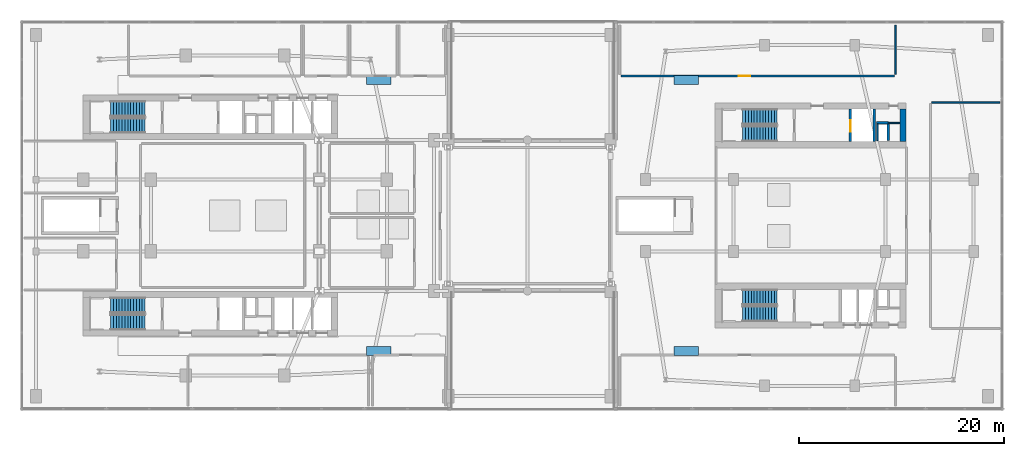
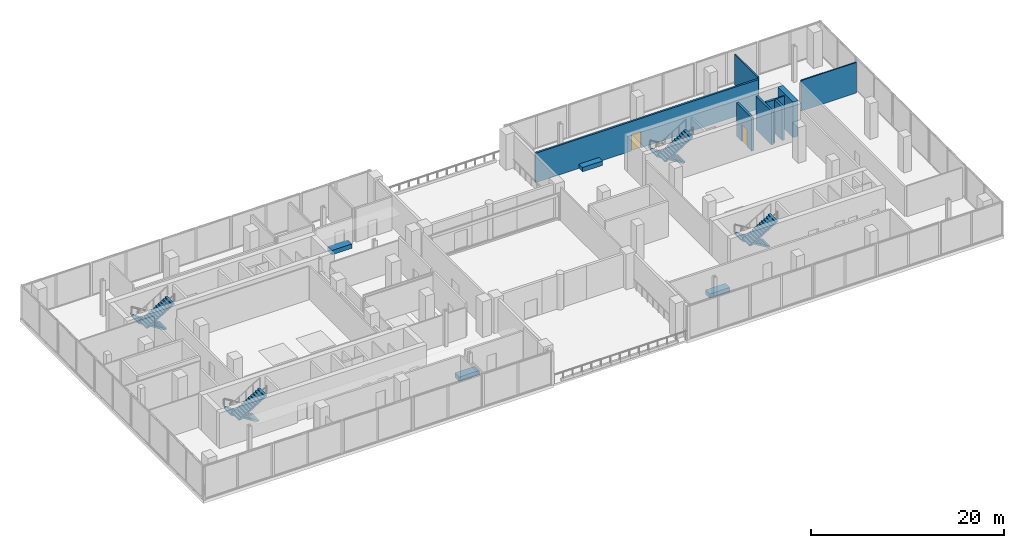
# One storey, part 17 of 21: 10 walls, 8 stair flights, 4 discrete accessories, 2 doors, 2 openings, 4 elements without a shape of their own.
"""IFC4 building model written with IfcOpenShell, lengths in metres."""

from ifc_helpers import new_model, si_unit, derived_unit, direction, frame, frame_2d, origin, origin_2d, place, context, subcontext, project, spatial, polyline, rectangle, outline, extrude, material, layer, layer_set, type_object, element, fill, aggregate, save


model = new_model("IFC4")

# Units and contexts
model_context = context("Model", 3, precision=1e-05, world=origin(), true_north=direction((0.0, 1.0)))
body_context = subcontext(model_context, "Body", "Model", "MODEL_VIEW")
ifc_project = project(units=[si_unit("LENGTHUNIT", "METRE"), si_unit("AREAUNIT", "SQUARE_METRE"), si_unit("VOLUMEUNIT", "CUBIC_METRE"), si_unit("PLANEANGLEUNIT", "RADIAN"), si_unit("MASSUNIT", "GRAM", prefix="KILO"), derived_unit("THERMALTRANSMITTANCEUNIT", [(si_unit("POWERUNIT", "WATT"), 1), (si_unit("LENGTHUNIT", "METRE"), -2), (si_unit("THERMODYNAMICTEMPERATUREUNIT", "KELVIN"), -1)])], contexts=[model_context])

# Site, building, storey
site_placement = place(None, origin())
site = spatial("IfcSite", under=ifc_project, at=site_placement, CompositionType="ELEMENT")
building_placement = place(site_placement, origin())
building = spatial("IfcBuilding", under=site, at=building_placement, Name="Kivonza Crest Hotel", CompositionType="ELEMENT")
storey_placement = place(building_placement, frame((0.0, 0.0, 19.5)))
storey = spatial("IfcBuildingStorey", under=building, at=storey_placement, Name="L04", CompositionType="ELEMENT", Elevation=19.5)

# Wall, opening, door
ifc_material_1 = material(Name="Autoclaved aerated concrete blockwork", Category="masonry")
ifc_layer_1 = layer(ifc_material_1, 0.219970703125)
ifc_layer_set_1 = layer_set([ifc_layer_1], Name="Autoclaved aerated concrete blockwork")
wall_type_1 = type_object("IfcWallType", Name="WL-ACOU-220", PredefinedType="SOLIDWALL", material=ifc_layer_set_1)
wall_1_placement = place(storey_placement, frame((58.60009765625, 38.60009765625, 0.0), z_axis=(0.0, 0.0, 1.0), x_axis=(1.0, 0.0, 0.0)))
wall_1 = element("IfcWall", 1, at=wall_1_placement, inside=storey, type_object=wall_type_1, Name="L04 interior partition WA-L04-N-YOGA-S", PredefinedType="SOLIDWALL", context=body_context, shape_type="SweptSolid", body=[
    extrude(rectangle(XDim=26.699951171875, YDim=0.219970703125, at=frame_2d((13.35009765625, 0.0))), origin(), (0.0, 0.0, 1.0), 3.72509765625),
])
opening_1_placement = place(wall_1_placement, frame((11.510009765625, 0.0, 0.0)))
opening_1 = element("IfcOpeningElement", 2, at=opening_1_placement, cuts=wall_1, Name="Opening DF-60M", PredefinedType="OPENING", context=body_context, shape_type="SweptSolid", body=[
    extrude(rectangle(XDim=1.10009765625, YDim=2.10009765625, at=frame_2d((0.550048828125, 1.050048828125))), frame((0.0, 0.1201171875, 0.0), z_axis=(0.0, -1.0, 0.0), x_axis=(1.0, 0.0, 0.0)), (0.0, 0.0, 1.0), 0.239990234375),
])
ifc_material_2 = material(Name="Hardwood timber oak", Category="wood")
door_type_1 = type_object("IfcDoorType", Name="DR-FD60-1100", OperationType="NOTDEFINED", PredefinedType="DOOR", material=ifc_material_2)
door_1_placement = place(opening_1_placement, origin())
door_1 = element("IfcDoor", 3, at=door_1_placement, inside=storey, type_object=door_type_1, Name="L04 Companion North Pilates Studio door", OperationType="SINGLE_SWING_LEFT", OverallHeight=2.10009765625, OverallWidth=1.10009765625, PredefinedType="DOOR", context=body_context, shape_type="SweptSolid", body=[
    extrude(rectangle(XDim=1.10009765625, YDim=2.10009765625, at=frame_2d((0.550048828125, 1.050048828125))), frame((0.0, 0.02490234375, 0.0), z_axis=(0.0, -1.0, 0.0), x_axis=(1.0, 0.0, 0.0)), (0.0, 0.0, 1.0), 0.050048828125),
])
fill(opening_1, door_1)

# Walls
ifc_material_3 = material(Name="Concrete C60/75", Category="concrete")
ifc_layer_2 = layer(ifc_material_3, 0.60009765625)
ifc_layer_set_2 = layer_set([ifc_layer_2], Name="Concrete C60/75")
wall_type_2 = type_object("IfcWallType", Name="WL-CORE-600", PredefinedType="SHEAR", material=ifc_layer_set_2)
wall_2_placement = place(storey_placement, frame((86.10009765625, 32.199951171875, 0.0), z_axis=(0.0, 0.0, 1.0), x_axis=(0.0, 1.0, 0.0)))
element("IfcWall", 4, at=wall_2_placement, inside=storey, type_object=wall_type_2, Name="Core wall T2-N East L04", PredefinedType="SHEAR", context=body_context, shape_type="SweptSolid", body=[
    extrude(rectangle(XDim=3.16015625, YDim=0.60009765625, at=frame_2d((1.580078125, 0.0))), origin(), (0.0, 0.0, 1.0), 4.5),
])
ifc_material_4 = material(Name="Concrete blockwork fire-compartment wall", Category="masonry")
ifc_layer_3 = layer(ifc_material_4, 0.25)
ifc_layer_set_3 = layer_set([ifc_layer_3], Name="Concrete blockwork fire-compartment wall")
wall_type_3 = type_object("IfcWallType", Name="WL-FIRE-250", PredefinedType="SOLIDWALL", material=ifc_layer_set_3)
wall_3_placement = place(storey_placement, frame((84.679931640625, 32.300048828125, 0.0), z_axis=(0.0, 0.0, 1.0), x_axis=(0.0, 1.0, 0.0)))
element("IfcWall", 5, at=wall_3_placement, inside=storey, type_object=wall_type_3, Name="L04 interior partition WA-L04-T2-N-MEPR-E", PredefinedType="SOLIDWALL", context=body_context, shape_type="SweptSolid", body=[
    extrude(rectangle(XDim=1.619873046875, YDim=0.25, at=frame_2d((0.81005859375, 0.0))), origin(), (0.0, 0.0, 1.0), 4.219970703125),
])
wall_4_placement = place(storey_placement, frame((83.550048828125, 34.02001953125, 0.0), z_axis=(0.0, 0.0, 1.0), x_axis=(1.0, 0.0, 0.0)))
element("IfcWall", 6, at=wall_4_placement, inside=storey, type_object=wall_type_3, Name="L04 interior partition WA-L04-T2-N-MEPR-H", PredefinedType="SOLIDWALL", context=body_context, shape_type="SweptSolid", body=[
    extrude(rectangle(XDim=1.1298828125, YDim=0.25, at=frame_2d((0.56494140625, 0.0))), origin(), (0.0, 0.0, 1.0), 4.219970703125),
])
ifc_material_5 = material(Name="Metal-stud gypsum board partition", Category="gypsum")
ifc_layer_4 = layer(ifc_material_5, 0.125)
ifc_layer_set_4 = layer_set([ifc_layer_4], Name="Metal-stud gypsum board partition")
wall_type_4 = type_object("IfcWallType", Name="WL-PART-125", PredefinedType="PARTITIONING", material=ifc_layer_set_4)
wall_5_placement = place(storey_placement, frame((84.679931640625, 34.02001953125, 0.0), z_axis=(0.0, 0.0, 1.0), x_axis=(1.0, 0.0, 0.0)))
element("IfcWall", 7, at=wall_5_placement, inside=storey, type_object=wall_type_4, Name="L04 interior partition WP-L04-T2-N-T2H", PredefinedType="PARTITIONING", context=body_context, shape_type="SweptSolid", body=[
    extrude(rectangle(XDim=1.1201171875, YDim=0.125, at=frame_2d((0.56005859375, 0.0))), origin(), (0.0, 0.0, 1.0), 4.219970703125),
])
ifc_material_6 = material(Name="Twin-stud acoustic gypsum board partition", Category="gypsum")
ifc_layer_5 = layer(ifc_material_6, 0.14990234375)
ifc_layer_set_5 = layer_set([ifc_layer_5], Name="Twin-stud acoustic gypsum board partition")
wall_type_5 = type_object("IfcWallType", Name="WL-PART-150", PredefinedType="PARTITIONING", material=ifc_layer_set_5)
wall_6_placement = place(storey_placement, frame((83.6298828125, 32.300048828125, 0.0), z_axis=(0.0, 0.0, 1.0), x_axis=(0.0, 1.0, 0.0)))
element("IfcWall", 8, at=wall_6_placement, inside=storey, type_object=wall_type_5, Name="L04 interior partition WA-L04-T2-N-MEPR-W", PredefinedType="PARTITIONING", context=body_context, shape_type="SweptSolid", body=[
    extrude(rectangle(XDim=1.619873046875, YDim=0.14990234375, at=frame_2d((0.81005859375, 0.0))), origin(), (0.0, 0.0, 1.0), 3.72509765625),
])
wall_7_placement = place(storey_placement, frame((85.39990234375, 38.75, 0.0), z_axis=(0.0, 0.0, 1.0), x_axis=(0.0, 1.0, 0.0)))
element("IfcWall", 9, at=wall_7_placement, inside=storey, type_object=wall_type_5, Name="L04 interior partition WP-L04-N-YOGA-BE", PredefinedType="PARTITIONING", context=body_context, shape_type="SweptSolid", body=[
    extrude(rectangle(XDim=4.800048828125, YDim=0.14990234375, at=frame_2d((2.39990234375, 0.0))), origin(), (0.0, 0.0, 1.0), 3.864990234375),
])
wall_8_placement = place(storey_placement, frame((88.89990234375, 36.0, 0.0), z_axis=(0.0, 0.0, 1.0), x_axis=(1.0, 0.0, 0.0)))
element("IfcWall", 10, at=wall_8_placement, inside=storey, type_object=wall_type_5, Name="L04 interior partition WP-L04-E-SPA4S-BN", PredefinedType="PARTITIONING", context=body_context, shape_type="SweptSolid", body=[
    extrude(rectangle(XDim=6.650146484375, YDim=0.14990234375, at=frame_2d((3.3251953125, 0.0))), origin(), (0.0, 0.0, 1.0), 3.864990234375),
])

# Wall, opening, door
ifc_material_7 = material(Name="Concrete C50/60", Category="concrete")
ifc_layer_6 = layer(ifc_material_7, 0.25)
ifc_layer_set_6 = layer_set([ifc_layer_6], Name="Concrete C50/60")
wall_type_6 = type_object("IfcWallType", Name="WL-SHAFT-250", PredefinedType="STANDARD", material=ifc_layer_set_6)
wall_9_placement = place(storey_placement, frame((80.97509765625, 32.199951171875, 0.0), z_axis=(0.0, 0.0, 1.0), x_axis=(0.0, 1.0, 0.0)))
wall_9 = element("IfcWall", 11, at=wall_9_placement, inside=storey, type_object=wall_type_6, Name="Core shaft wall T2-N FFL-W L04", PredefinedType="STANDARD", context=body_context, shape_type="SweptSolid", body=[
    extrude(rectangle(XDim=3.16015625, YDim=0.25, at=frame_2d((1.580078125, 0.0))), origin(), (0.0, 0.0, 1.0), 4.25),
])
opening_2_placement = place(wall_9_placement, frame((0.97998046875, 0.0, 0.0)))
opening_2 = element("IfcOpeningElement", 12, at=opening_2_placement, cuts=wall_9, Name="Opening LD-120", PredefinedType="OPENING", context=body_context, shape_type="SweptSolid", body=[
    extrude(rectangle(XDim=1.10009765625, YDim=2.14990234375, at=frame_2d((0.550048828125, 1.074951171875))), frame((0.0, 0.135009765625, 0.0), z_axis=(0.0, -1.0, 0.0), x_axis=(1.0, 0.0, 0.0)), (0.0, 0.0, 1.0), 0.27001953125),
])
ifc_material_8 = material(Name="Stainless steel", Category="steel")
door_type_2 = type_object("IfcDoorType", Name="DR-LD120-1100", OperationType="NOTDEFINED", PredefinedType="DOOR", material=ifc_material_8)
door_2_placement = place(opening_2_placement, origin())
door_2 = element("IfcDoor", 13, at=door_2_placement, inside=storey, type_object=door_type_2, Name="L04 FFL-T2 firefighting lift sliding landing door", OperationType="DOUBLE_DOOR_SLIDING", OverallHeight=2.14990234375, OverallWidth=1.10009765625, PredefinedType="DOOR", context=body_context, shape_type="SweptSolid", body=[
    extrude(rectangle(XDim=1.10009765625, YDim=2.14990234375, at=frame_2d((0.550048828125, 1.074951171875))), frame((0.0, 0.02490234375, 0.0), z_axis=(0.0, -1.0, 0.0), x_axis=(1.0, 0.0, 0.0)), (0.0, 0.0, 1.0), 0.050048828125),
])
fill(opening_2, door_2)

# Wall
wall_10_placement = place(storey_placement, frame((83.324951171875, 32.199951171875, 0.0), z_axis=(0.0, 0.0, 1.0), x_axis=(0.0, 1.0, 0.0)))
element("IfcWall", 14, at=wall_10_placement, inside=storey, type_object=wall_type_6, Name="Core shaft wall T2-N FFL-E L04", PredefinedType="STANDARD", context=body_context, shape_type="SweptSolid", body=[
    extrude(rectangle(XDim=3.16015625, YDim=0.25, at=frame_2d((1.580078125, 0.0))), origin(), (0.0, 0.0, 1.0), 4.25),
])

# Stair, stair flights
ifc_material_9 = material(Name="Concrete C40/50", Category="concrete")
stair_type = type_object("IfcStairType", Name="ST-DL-26R", PredefinedType="HALF_TURN_STAIR", material=ifc_material_9)
stair_1_placement = place(storey_placement, origin())
stair_1 = element("IfcStair", 15, at=stair_1_placement, inside=storey, type_object=stair_type, Name="L04 Protected Exit Stair ST-T1-N", PredefinedType="HALF_TURN_STAIR")
stair_flight_type = type_object("IfcStairFlightType", Name="SFL-RC-13R", PredefinedType="STRAIGHT", material=ifc_material_9)
stair_flight_1_placement = place(storey_placement, frame((12.239990234375, 35.409912109375, 0.0), z_axis=(0.0, 0.0, 1.0), x_axis=(-1.0, 0.0, 0.0)))
stair_flight_1 = element("IfcStairFlight", 16, at=stair_flight_1_placement, type_object=stair_flight_type, Name="ST-T1-N flight 1", NumberOfRisers=13, NumberOfTreads=12, PredefinedType="STRAIGHT", RiserHeight=0.173076923, TreadLength=0.28, context=body_context, shape_type="SweptSolid", body=[
    extrude(outline(polyline([(0.0, 0.0), (0.0, 0.173095703125), (0.280029296875, 0.173095703125), (0.280029296875, 0.34619140625), (0.56005859375, 0.34619140625), (0.56005859375, 0.519287109375), (0.840087890625, 0.519287109375), (0.840087890625, 0.6923828125), (1.1201171875, 0.6923828125), (1.1201171875, 0.865478515625), (1.39990234375, 0.865478515625), (1.39990234375, 1.03857421875), (1.679931640625, 1.03857421875), (1.679931640625, 1.21142578125), (1.9599609375, 1.21142578125), (1.9599609375, 1.384521484375), (2.239990234375, 1.384521484375), (2.239990234375, 1.5576171875), (2.52001953125, 1.5576171875), (2.52001953125, 1.730712890625), (2.800048828125, 1.730712890625), (2.800048828125, 1.90380859375), (3.080078125, 1.90380859375), (3.080078125, 2.076904296875), (3.360107421875, 2.076904296875), (3.360107421875, 2.25), (3.360107421875, 1.900634765625), (0.28515625, 0.0), (0.0, 0.0)])), frame((0.0, 0.75, 0.0), z_axis=(0.0, -1.0, 0.0), x_axis=(1.0, 0.0, 0.0)), (0.0, 0.0, 1.0), 1.5),
])
stair_flight_2_placement = place(storey_placement, frame((8.8798828125, 33.77001953125, 2.25), z_axis=(0.0, 0.0, 1.0), x_axis=(1.0, 0.0, 0.0)))
stair_flight_2 = element("IfcStairFlight", 17, at=stair_flight_2_placement, type_object=stair_flight_type, Name="ST-T1-N flight 2", NumberOfRisers=13, NumberOfTreads=12, PredefinedType="STRAIGHT", RiserHeight=0.173076923, TreadLength=0.28, context=body_context, shape_type="SweptSolid", body=[
    extrude(outline(polyline([(0.0, 0.0), (0.0, 0.173095703125), (0.280029296875, 0.173095703125), (0.280029296875, 0.34619140625), (0.56005859375, 0.34619140625), (0.56005859375, 0.519287109375), (0.840087890625, 0.519287109375), (0.840087890625, 0.6923828125), (1.1201171875, 0.6923828125), (1.1201171875, 0.865478515625), (1.39990234375, 0.865478515625), (1.39990234375, 1.03857421875), (1.679931640625, 1.03857421875), (1.679931640625, 1.21142578125), (1.9599609375, 1.21142578125), (1.9599609375, 1.384521484375), (2.239990234375, 1.384521484375), (2.239990234375, 1.5576171875), (2.52001953125, 1.5576171875), (2.52001953125, 1.730712890625), (2.800048828125, 1.730712890625), (2.800048828125, 1.90380859375), (3.080078125, 1.90380859375), (3.080078125, 2.076904296875), (3.360107421875, 2.076904296875), (3.360107421875, 2.25), (3.360107421875, 1.900634765625), (0.28515625, 0.0), (0.0, 0.0)])), frame((0.0, 0.75, 0.0), z_axis=(0.0, -1.0, 0.0), x_axis=(1.0, 0.0, 0.0)), (0.0, 0.0, 1.0), 1.5),
])
aggregate(stair_1, [stair_flight_1, stair_flight_2])

stair_2_placement = place(storey_placement, origin())
stair_2 = element("IfcStair", 18, at=stair_2_placement, inside=storey, type_object=stair_type, Name="L04 Protected Exit Stair ST-T1-S", PredefinedType="HALF_TURN_STAIR")
stair_flight_3_placement = place(storey_placement, frame((12.239990234375, 16.25, 0.0), z_axis=(0.0, 0.0, 1.0), x_axis=(-1.0, 0.0, 0.0)))
stair_flight_3 = element("IfcStairFlight", 19, at=stair_flight_3_placement, type_object=stair_flight_type, Name="ST-T1-S flight 1", NumberOfRisers=13, NumberOfTreads=12, PredefinedType="STRAIGHT", RiserHeight=0.173076923, TreadLength=0.28, context=body_context, shape_type="SweptSolid", body=[
    extrude(outline(polyline([(0.0, 0.0), (0.0, 0.173095703125), (0.280029296875, 0.173095703125), (0.280029296875, 0.34619140625), (0.56005859375, 0.34619140625), (0.56005859375, 0.519287109375), (0.840087890625, 0.519287109375), (0.840087890625, 0.6923828125), (1.1201171875, 0.6923828125), (1.1201171875, 0.865478515625), (1.39990234375, 0.865478515625), (1.39990234375, 1.03857421875), (1.679931640625, 1.03857421875), (1.679931640625, 1.21142578125), (1.9599609375, 1.21142578125), (1.9599609375, 1.384521484375), (2.239990234375, 1.384521484375), (2.239990234375, 1.5576171875), (2.52001953125, 1.5576171875), (2.52001953125, 1.730712890625), (2.800048828125, 1.730712890625), (2.800048828125, 1.90380859375), (3.080078125, 1.90380859375), (3.080078125, 2.076904296875), (3.360107421875, 2.076904296875), (3.360107421875, 2.25), (3.360107421875, 1.900634765625), (0.28515625, 0.0), (0.0, 0.0)])), frame((0.0, 0.75, 0.0), z_axis=(0.0, -1.0, 0.0), x_axis=(1.0, 0.0, 0.0)), (0.0, 0.0, 1.0), 1.5),
])
stair_flight_4_placement = place(storey_placement, frame((8.8798828125, 14.610107421875, 2.25), z_axis=(0.0, 0.0, 1.0), x_axis=(1.0, 0.0, 0.0)))
stair_flight_4 = element("IfcStairFlight", 20, at=stair_flight_4_placement, type_object=stair_flight_type, Name="ST-T1-S flight 2", NumberOfRisers=13, NumberOfTreads=12, PredefinedType="STRAIGHT", RiserHeight=0.173076923, TreadLength=0.28, context=body_context, shape_type="SweptSolid", body=[
    extrude(outline(polyline([(0.0, 0.0), (0.0, 0.173095703125), (0.280029296875, 0.173095703125), (0.280029296875, 0.34619140625), (0.56005859375, 0.34619140625), (0.56005859375, 0.519287109375), (0.840087890625, 0.519287109375), (0.840087890625, 0.6923828125), (1.1201171875, 0.6923828125), (1.1201171875, 0.865478515625), (1.39990234375, 0.865478515625), (1.39990234375, 1.03857421875), (1.679931640625, 1.03857421875), (1.679931640625, 1.21142578125), (1.9599609375, 1.21142578125), (1.9599609375, 1.384521484375), (2.239990234375, 1.384521484375), (2.239990234375, 1.5576171875), (2.52001953125, 1.5576171875), (2.52001953125, 1.730712890625), (2.800048828125, 1.730712890625), (2.800048828125, 1.90380859375), (3.080078125, 1.90380859375), (3.080078125, 2.076904296875), (3.360107421875, 2.076904296875), (3.360107421875, 2.25), (3.360107421875, 1.900634765625), (0.28515625, 0.0), (0.0, 0.0)])), frame((0.0, 0.75, 0.0), z_axis=(0.0, -1.0, 0.0), x_axis=(1.0, 0.0, 0.0)), (0.0, 0.0, 1.0), 1.5),
])
aggregate(stair_2, [stair_flight_3, stair_flight_4])

stair_3_placement = place(storey_placement, origin())
stair_3 = element("IfcStair", 21, at=stair_3_placement, inside=storey, type_object=stair_type, Name="L04 Protected Exit Stair ST-T2-N", PredefinedType="HALF_TURN_STAIR")
stair_flight_5_placement = place(storey_placement, frame((73.840087890625, 34.610107421875, 0.0), z_axis=(0.0, 0.0, 1.0), x_axis=(-1.0, 0.0, 0.0)))
stair_flight_5 = element("IfcStairFlight", 22, at=stair_flight_5_placement, type_object=stair_flight_type, Name="ST-T2-N flight 1", NumberOfRisers=13, NumberOfTreads=12, PredefinedType="STRAIGHT", RiserHeight=0.173076923, TreadLength=0.28, context=body_context, shape_type="SweptSolid", body=[
    extrude(outline(polyline([(0.0, 0.0), (0.0, 0.173095703125), (0.280029296875, 0.173095703125), (0.280029296875, 0.34619140625), (0.56005859375, 0.34619140625), (0.56005859375, 0.519287109375), (0.840087890625, 0.519287109375), (0.840087890625, 0.6923828125), (1.1201171875, 0.6923828125), (1.1201171875, 0.865478515625), (1.39990234375, 0.865478515625), (1.39990234375, 1.03857421875), (1.679931640625, 1.03857421875), (1.679931640625, 1.21142578125), (1.9599609375, 1.21142578125), (1.9599609375, 1.384521484375), (2.239990234375, 1.384521484375), (2.239990234375, 1.5576171875), (2.52001953125, 1.5576171875), (2.52001953125, 1.730712890625), (2.800048828125, 1.730712890625), (2.800048828125, 1.90380859375), (3.080078125, 1.90380859375), (3.080078125, 2.076904296875), (3.360107421875, 2.076904296875), (3.360107421875, 2.25), (3.360107421875, 1.900634765625), (0.28515625, 0.0), (0.0, 0.0)])), frame((0.0, 0.75, 0.0), z_axis=(0.0, -1.0, 0.0), x_axis=(1.0, 0.0, 0.0)), (0.0, 0.0, 1.0), 1.5),
])
stair_flight_6_placement = place(storey_placement, frame((70.47998046875, 32.969970703125, 2.25), z_axis=(0.0, 0.0, 1.0), x_axis=(1.0, 0.0, 0.0)))
stair_flight_6 = element("IfcStairFlight", 23, at=stair_flight_6_placement, type_object=stair_flight_type, Name="ST-T2-N flight 2", NumberOfRisers=13, NumberOfTreads=12, PredefinedType="STRAIGHT", RiserHeight=0.173076923, TreadLength=0.28, context=body_context, shape_type="SweptSolid", body=[
    extrude(outline(polyline([(0.0, 0.0), (0.0, 0.173095703125), (0.280029296875, 0.173095703125), (0.280029296875, 0.34619140625), (0.56005859375, 0.34619140625), (0.56005859375, 0.519287109375), (0.840087890625, 0.519287109375), (0.840087890625, 0.6923828125), (1.1201171875, 0.6923828125), (1.1201171875, 0.865478515625), (1.39990234375, 0.865478515625), (1.39990234375, 1.03857421875), (1.679931640625, 1.03857421875), (1.679931640625, 1.21142578125), (1.9599609375, 1.21142578125), (1.9599609375, 1.384521484375), (2.239990234375, 1.384521484375), (2.239990234375, 1.5576171875), (2.52001953125, 1.5576171875), (2.52001953125, 1.730712890625), (2.800048828125, 1.730712890625), (2.800048828125, 1.90380859375), (3.080078125, 1.90380859375), (3.080078125, 2.076904296875), (3.360107421875, 2.076904296875), (3.360107421875, 2.25), (3.360107421875, 1.900634765625), (0.28515625, 0.0), (0.0, 0.0)])), frame((0.0, 0.75, 0.0), z_axis=(0.0, -1.0, 0.0), x_axis=(1.0, 0.0, 0.0)), (0.0, 0.0, 1.0), 1.5),
])
aggregate(stair_3, [stair_flight_5, stair_flight_6])

stair_4_placement = place(storey_placement, origin())
stair_4 = element("IfcStair", 24, at=stair_4_placement, inside=storey, type_object=stair_type, Name="L04 Protected Exit Stair ST-T2-S", PredefinedType="HALF_TURN_STAIR")
stair_flight_7_placement = place(storey_placement, frame((73.840087890625, 17.050048828125, 0.0), z_axis=(0.0, 0.0, 1.0), x_axis=(-1.0, 0.0, 0.0)))
stair_flight_7 = element("IfcStairFlight", 25, at=stair_flight_7_placement, type_object=stair_flight_type, Name="ST-T2-S flight 1", NumberOfRisers=13, NumberOfTreads=12, PredefinedType="STRAIGHT", RiserHeight=0.173076923, TreadLength=0.28, context=body_context, shape_type="SweptSolid", body=[
    extrude(outline(polyline([(0.0, 0.0), (0.0, 0.173095703125), (0.280029296875, 0.173095703125), (0.280029296875, 0.34619140625), (0.56005859375, 0.34619140625), (0.56005859375, 0.519287109375), (0.840087890625, 0.519287109375), (0.840087890625, 0.6923828125), (1.1201171875, 0.6923828125), (1.1201171875, 0.865478515625), (1.39990234375, 0.865478515625), (1.39990234375, 1.03857421875), (1.679931640625, 1.03857421875), (1.679931640625, 1.21142578125), (1.9599609375, 1.21142578125), (1.9599609375, 1.384521484375), (2.239990234375, 1.384521484375), (2.239990234375, 1.5576171875), (2.52001953125, 1.5576171875), (2.52001953125, 1.730712890625), (2.800048828125, 1.730712890625), (2.800048828125, 1.90380859375), (3.080078125, 1.90380859375), (3.080078125, 2.076904296875), (3.360107421875, 2.076904296875), (3.360107421875, 2.25), (3.360107421875, 1.900634765625), (0.28515625, 0.0), (0.0, 0.0)])), frame((0.0, 0.75, 0.0), z_axis=(0.0, -1.0, 0.0), x_axis=(1.0, 0.0, 0.0)), (0.0, 0.0, 1.0), 1.5),
])
stair_flight_8_placement = place(storey_placement, frame((70.47998046875, 15.409912109375, 2.25), z_axis=(0.0, 0.0, 1.0), x_axis=(1.0, 0.0, 0.0)))
stair_flight_8 = element("IfcStairFlight", 26, at=stair_flight_8_placement, type_object=stair_flight_type, Name="ST-T2-S flight 2", NumberOfRisers=13, NumberOfTreads=12, PredefinedType="STRAIGHT", RiserHeight=0.173076923, TreadLength=0.28, context=body_context, shape_type="SweptSolid", body=[
    extrude(outline(polyline([(0.0, 0.0), (0.0, 0.173095703125), (0.280029296875, 0.173095703125), (0.280029296875, 0.34619140625), (0.56005859375, 0.34619140625), (0.56005859375, 0.519287109375), (0.840087890625, 0.519287109375), (0.840087890625, 0.6923828125), (1.1201171875, 0.6923828125), (1.1201171875, 0.865478515625), (1.39990234375, 0.865478515625), (1.39990234375, 1.03857421875), (1.679931640625, 1.03857421875), (1.679931640625, 1.21142578125), (1.9599609375, 1.21142578125), (1.9599609375, 1.384521484375), (2.239990234375, 1.384521484375), (2.239990234375, 1.5576171875), (2.52001953125, 1.5576171875), (2.52001953125, 1.730712890625), (2.800048828125, 1.730712890625), (2.800048828125, 1.90380859375), (3.080078125, 1.90380859375), (3.080078125, 2.076904296875), (3.360107421875, 2.076904296875), (3.360107421875, 2.25), (3.360107421875, 1.900634765625), (0.28515625, 0.0), (0.0, 0.0)])), frame((0.0, 0.75, 0.0), z_axis=(0.0, -1.0, 0.0), x_axis=(1.0, 0.0, 0.0)), (0.0, 0.0, 1.0), 1.5),
])
aggregate(stair_4, [stair_flight_7, stair_flight_8])

# Discrete accessories
ifc_material_10 = material(Name="Precast GRC planter with engineered planting soil", Category="concrete")
discrete_accessory_type = type_object("IfcDiscreteAccessoryType", Name="AC-PLANTER-1800", PredefinedType="USERDEFINED", material=ifc_material_10)
for number, where, z_axis, x_axis, name in (
    (27, (35.0, 11.800048828125, 0.0), (0.0, 0.0, 1.0), (1.0, 0.0, 0.0), "L04 podium terrace planter 1A"),
    (28, (65.0, 11.800048828125, 0.0), (0.0, 0.0, 1.0), (1.0, 0.0, 0.0), "L04 podium terrace planter 1B"),
    (29, (35.0, 38.199951171875, 0.0), (0.0, 0.0, 1.0), (1.0, 0.0, 0.0), "L04 podium terrace planter 2A"),
    (30, (65.0, 38.199951171875, 0.0), (0.0, 0.0, 1.0), (1.0, 0.0, 0.0), "L04 podium terrace planter 2B"),
):
    element("IfcDiscreteAccessory", number, at=place(storey_placement, frame(where, z_axis=z_axis, x_axis=x_axis)), inside=storey, type_object=discrete_accessory_type, Name=name, ObjectType="PLANTER", PredefinedType="USERDEFINED", context=body_context, shape_type="SweptSolid", body=[
        extrude(rectangle(XDim=2.39990234375, YDim=0.89990234375, at=origin_2d()), origin(), (0.0, 0.0, 1.0), 0.550048828125),
    ])

save(model, "model.ifc")
